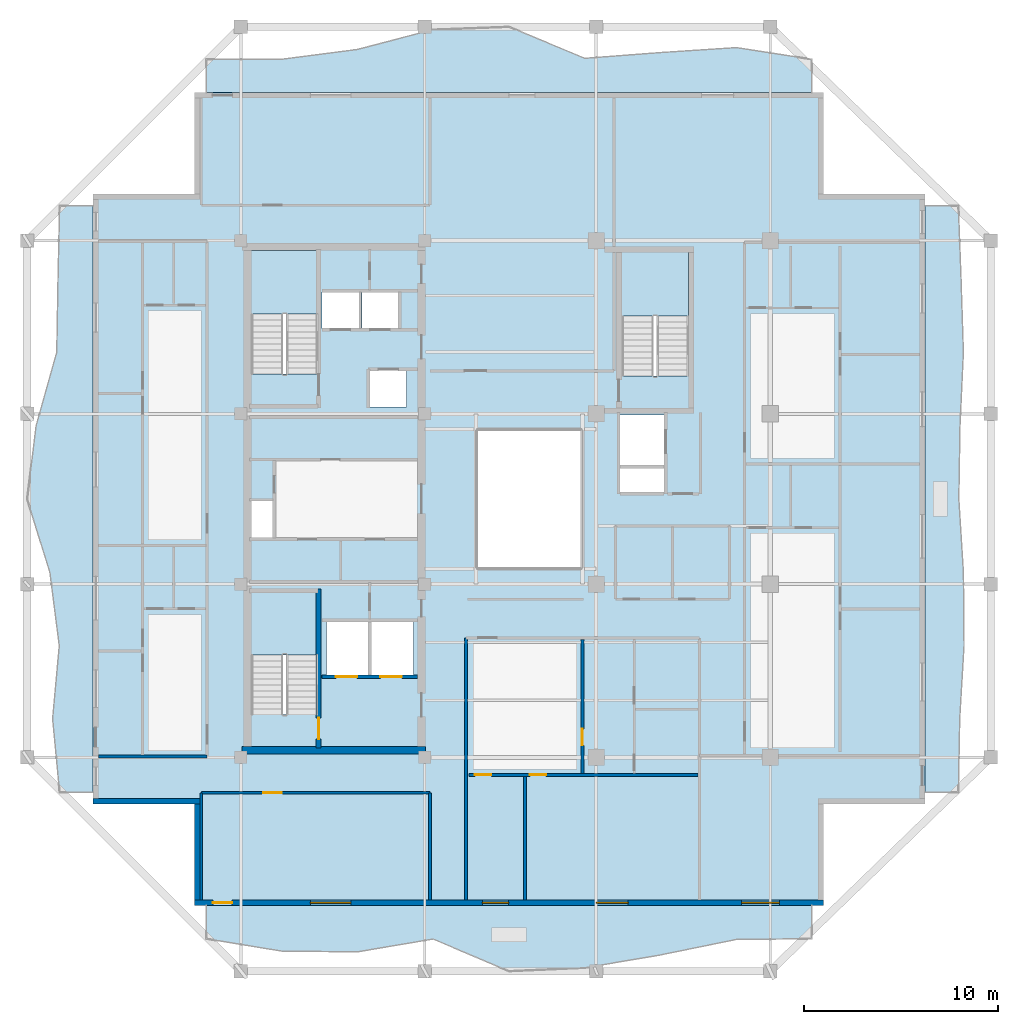
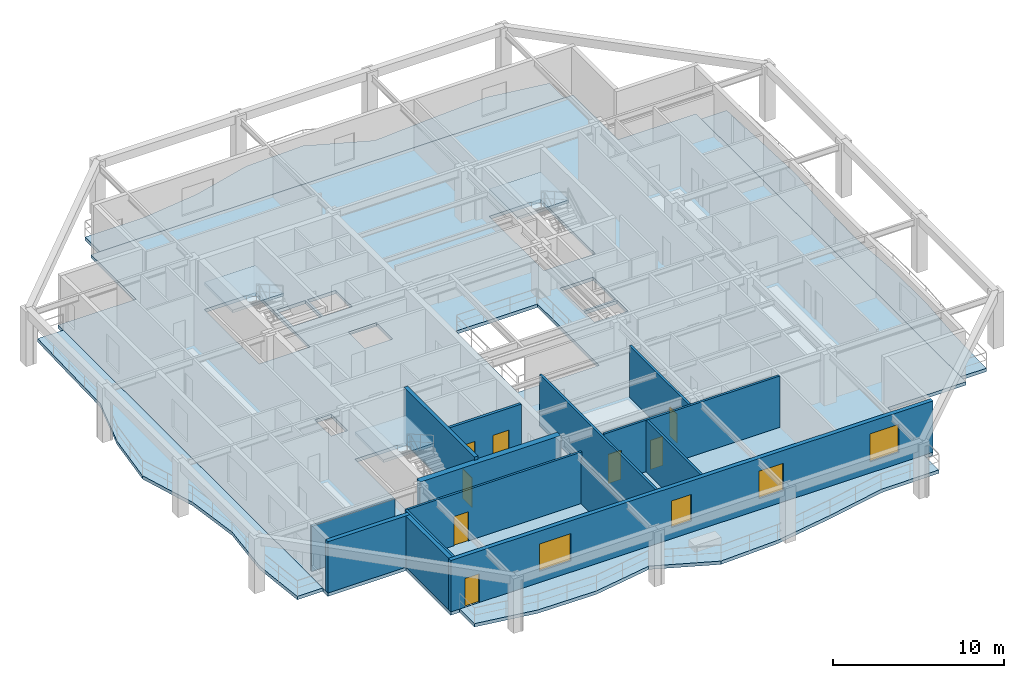
# One storey, part 2 of 12: 14 walls, 8 doors, 8 slabs, 4 windows, 12 openings, 3 elements without a shape of their own.
"""IFC4 building model written with IfcOpenShell, lengths in metres."""

from ifc_helpers import new_model, si_unit, direction, frame, frame_2d, origin, place, context, subcontext, project, spatial, polyline, rectangle, outline, extrude, material, layer, layer_set, type_object, element, fill, aggregate, save


model = new_model("IFC4")

# Units and contexts
model_context = context("Model", 3, precision=1e-05, world=origin(), true_north=direction((0.0, 1.0)))
body_context = subcontext(model_context, "Body", "Model", "MODEL_VIEW")
ifc_project = project(units=[si_unit("LENGTHUNIT", "METRE"), si_unit("AREAUNIT", "SQUARE_METRE"), si_unit("VOLUMEUNIT", "CUBIC_METRE"), si_unit("PLANEANGLEUNIT", "RADIAN"), si_unit("MASSUNIT", "GRAM", prefix="KILO")], contexts=[model_context])

# Site, building, storey
site_placement = place(None, origin())
site = spatial("IfcSite", under=ifc_project, at=site_placement, CompositionType="ELEMENT")
building_placement = place(site_placement, origin())
building = spatial("IfcBuilding", under=site, at=building_placement, Name="Kundavana Baori Tower", CompositionType="ELEMENT")
storey_placement = place(building_placement, frame((0.0, 0.0, 237.5)))
storey = spatial("IfcBuildingStorey", under=building, at=storey_placement, Name="L58", CompositionType="ELEMENT", Elevation=237.5)

# Slab
ifc_material_1 = material(Name="Concrete C40/50", Category="concrete")
ifc_layer_1 = layer(ifc_material_1, 0.239990234375, Name="SLB-FLR-240")
ifc_layer_set_1 = layer_set([ifc_layer_1], Name="Concrete C40/50")
slab_type_1 = type_object("IfcSlabType", Name="SLB-FLR-240", PredefinedType="FLOOR", material=ifc_layer_set_1)
slab_1_placement = place(storey_placement, frame((0.0, 0.0, -0.239990234375)))
element("IfcSlab", 1, at=slab_1_placement, inside=storey, type_object=slab_type_1, Name="L58 Structural Floor Slab", PredefinedType="FLOOR", context=body_context, shape_type="SweptSolid", body=[
    extrude(outline(polyline([(13.050048828125, 7.60009765625), (45.550048828125, 7.60009765625), (45.550048828125, 12.85009765625), (50.800048828125, 12.85009765625), (50.800048828125, 44.35009765625), (45.550048828125, 44.35009765625), (45.550048828125, 49.60009765625), (13.050048828125, 49.60009765625), (13.050048828125, 44.35009765625), (7.800048828125, 44.35009765625), (7.800048828125, 12.85009765625), (13.050048828125, 12.85009765625), (13.050048828125, 7.60009765625)]), holes=[polyline([(19.43994140625, 17.4619140625), (19.43994140625, 23.85009765625), (15.97998046875, 23.85009765625), (15.97998046875, 17.4619140625), (19.43994140625, 17.4619140625)]), polyline([(19.43994140625, 35.06201171875), (19.43994140625, 41.449951171875), (15.97998046875, 41.449951171875), (15.97998046875, 35.06201171875), (19.43994140625, 35.06201171875)]), polyline([(38.580078125, 34.9619140625), (38.580078125, 41.35009765625), (35.1201171875, 41.35009765625), (35.1201171875, 34.9619140625), (38.580078125, 34.9619140625)]), polyline([(19.64990234375, 37.39990234375), (21.550048828125, 37.39990234375), (21.550048828125, 39.300048828125), (19.64990234375, 39.300048828125), (19.64990234375, 37.39990234375)]), polyline([(21.699951171875, 37.39990234375), (23.60009765625, 37.39990234375), (23.60009765625, 39.300048828125), (21.699951171875, 39.300048828125), (21.699951171875, 37.39990234375)]), polyline([(22.10009765625, 33.35009765625), (24.0, 33.35009765625), (24.0, 35.25), (22.10009765625, 35.25), (22.10009765625, 33.35009765625)]), polyline([(19.8798828125, 19.5), (22.02001953125, 19.5), (22.02001953125, 22.25), (19.8798828125, 22.25), (19.8798828125, 19.5)]), polyline([(22.179931640625, 19.5), (24.3798828125, 19.5), (24.3798828125, 22.25), (22.179931640625, 22.25), (22.179931640625, 19.5)]), polyline([(35.050048828125, 30.35009765625), (37.300048828125, 30.35009765625), (37.300048828125, 32.949951171875), (35.050048828125, 32.949951171875), (35.050048828125, 30.35009765625)]), polyline([(15.949951171875, 26.60009765625), (17.080078125, 26.60009765625), (17.080078125, 28.5), (15.949951171875, 28.5), (15.949951171875, 26.60009765625)]), polyline([(35.050048828125, 28.949951171875), (37.300048828125, 28.949951171875), (37.300048828125, 30.199951171875), (35.050048828125, 30.199951171875), (35.050048828125, 28.949951171875)]), polyline([(27.60009765625, 25.0), (33.10009765625, 25.0), (33.10009765625, 32.199951171875), (27.60009765625, 32.199951171875), (27.60009765625, 25.0)])]), origin(), (0.0, 0.0, 1.0), 0.239990234375),
])

# Stair, slab
ifc_material_2 = material(Name="Concrete C40/50", Category="concrete")
stair_type = type_object("IfcStairType", Name="STR-DOG-1650", PredefinedType="HALF_TURN_STAIR", material=ifc_material_2)
stair_1_placement = place(storey_placement, origin())
stair_1 = element("IfcStair", 2, at=stair_1_placement, inside=storey, type_object=stair_type, Name="L58 Protected Exit Stair ST1", PredefinedType="HALF_TURN_STAIR")
ifc_material_3 = material(Name="Concrete C40/50", Category="concrete")
ifc_layer_2 = layer(ifc_material_3, 0.199951171875, Name="SLB-LND-200")
ifc_layer_set_2 = layer_set([ifc_layer_2], Name="Concrete C40/50")
slab_type_2 = type_object("IfcSlabType", Name="SLB-LND-200", PredefinedType="LANDING", material=ifc_layer_set_2)
slab_2_placement = place(storey_placement, frame((0.0, 0.0, 1.75)))
slab_2 = element("IfcSlab", 3, at=slab_2_placement, type_object=slab_type_2, Name="ST1 landing 1", PredefinedType="LANDING", context=body_context, shape_type="SweptSolid", body=[
    extrude(outline(polyline([(19.43994140625, 20.550048828125), (19.43994140625, 23.85009765625), (15.97998046875, 23.85009765625), (15.97998046875, 20.550048828125), (19.43994140625, 20.550048828125)])), origin(), (0.0, 0.0, 1.0), 0.199951171875),
])
aggregate(stair_1, [slab_2])

stair_2_placement = place(storey_placement, origin())
stair_2 = element("IfcStair", 4, at=stair_2_placement, inside=storey, type_object=stair_type, Name="L58 Protected Exit Stair ST2", PredefinedType="HALF_TURN_STAIR")
slab_3_placement = place(storey_placement, frame((0.0, 0.0, 1.75)))
slab_3 = element("IfcSlab", 5, at=slab_3_placement, type_object=slab_type_2, Name="ST2 landing 1", PredefinedType="LANDING", context=body_context, shape_type="SweptSolid", body=[
    extrude(outline(polyline([(19.43994140625, 38.14990234375), (19.43994140625, 41.449951171875), (15.97998046875, 41.449951171875), (15.97998046875, 38.14990234375), (19.43994140625, 38.14990234375)])), origin(), (0.0, 0.0, 1.0), 0.199951171875),
])
aggregate(stair_2, [slab_3])

stair_3_placement = place(storey_placement, origin())
stair_3 = element("IfcStair", 6, at=stair_3_placement, inside=storey, type_object=stair_type, Name="L58 Protected Exit Stair ST3", PredefinedType="HALF_TURN_STAIR")
slab_4_placement = place(storey_placement, frame((0.0, 0.0, 1.75)))
slab_4 = element("IfcSlab", 7, at=slab_4_placement, type_object=slab_type_2, Name="ST3 landing 1", PredefinedType="LANDING", context=body_context, shape_type="SweptSolid", body=[
    extrude(outline(polyline([(38.580078125, 38.050048828125), (38.580078125, 41.35009765625), (35.1201171875, 41.35009765625), (35.1201171875, 38.050048828125), (38.580078125, 38.050048828125)])), origin(), (0.0, 0.0, 1.0), 0.199951171875),
])
aggregate(stair_3, [slab_4])

# Slabs
ifc_material_4 = material(Name="Concrete C40/50", Category="concrete")
ifc_layer_3 = layer(ifc_material_4, 0.239990234375, Name="SLB-LOG-240")
ifc_layer_set_3 = layer_set([ifc_layer_3], Name="Concrete C40/50")
slab_type_3 = type_object("IfcSlabType", Name="SLB-LOG-240", PredefinedType="FLOOR", material=ifc_layer_set_3)
slab_5_placement = place(storey_placement, frame((0.0, 0.0, -0.239990234375)))
element("IfcSlab", 8, at=slab_5_placement, inside=storey, type_object=slab_type_3, Name="L58 Planted Loggia Balcony Slab S", PredefinedType="FLOOR", context=body_context, shape_type="SweptSolid", body=[
    extrude(outline(polyline([(13.64990234375, 7.60009765625), (44.949951171875, 7.60009765625), (44.949951171875, 5.8798828125), (41.0380859375, 5.840087890625), (37.125, 5.0380859375), (33.212890625, 4.376953125), (29.300048828125, 4.199951171875), (25.387939453125, 5.862060546875), (21.47509765625, 5.200927734375), (17.56201171875, 5.238037109375), (13.64990234375, 5.8798828125), (13.64990234375, 7.60009765625)])), origin(), (0.0, 0.0, 1.0), 0.239990234375),
])
slab_6_placement = place(storey_placement, frame((0.0, 0.0, -0.239990234375)))
element("IfcSlab", 9, at=slab_6_placement, inside=storey, type_object=slab_type_3, Name="L58 Planted Loggia Balcony Slab E", PredefinedType="FLOOR", context=body_context, shape_type="SweptSolid", body=[
    extrude(outline(polyline([(50.800048828125, 13.449951171875), (50.800048828125, 43.75), (52.52001953125, 43.75), (52.659912109375, 39.9619140625), (52.780029296875, 36.175048828125), (52.60498046875, 32.387939453125), (52.5439453125, 28.60009765625), (52.781982421875, 24.81201171875), (52.81298828125, 21.02490234375), (52.591064453125, 17.238037109375), (52.52001953125, 13.449951171875), (50.800048828125, 13.449951171875)])), origin(), (0.0, 0.0, 1.0), 0.239990234375),
])
slab_7_placement = place(storey_placement, frame((0.0, 0.0, -0.239990234375)))
element("IfcSlab", 10, at=slab_7_placement, inside=storey, type_object=slab_type_3, Name="L58 Planted Loggia Balcony Slab N", PredefinedType="FLOOR", context=body_context, shape_type="SweptSolid", body=[
    extrude(outline(polyline([(44.949951171875, 49.60009765625), (13.64990234375, 49.60009765625), (13.64990234375, 51.320068359375), (17.56201171875, 51.321044921875), (21.47509765625, 51.8291015625), (25.387939453125, 52.85400390625), (29.300048828125, 53.0), (33.212890625, 51.3701171875), (37.125, 51.666015625), (41.0380859375, 51.923095703125), (44.949951171875, 51.320068359375), (44.949951171875, 49.60009765625)])), origin(), (0.0, 0.0, 1.0), 0.239990234375),
])
slab_8_placement = place(storey_placement, frame((0.0, 0.0, -0.239990234375)))
element("IfcSlab", 11, at=slab_8_placement, inside=storey, type_object=slab_type_3, Name="L58 Planted Loggia Balcony Slab W", PredefinedType="FLOOR", context=body_context, shape_type="SweptSolid", body=[
    extrude(outline(polyline([(7.800048828125, 43.75), (7.800048828125, 13.449951171875), (6.080078125, 13.449951171875), (5.719970703125, 17.238037109375), (6.06298828125, 21.02490234375), (5.576904296875, 24.81201171875), (4.39990234375, 28.60009765625), (4.866943359375, 32.387939453125), (5.93310546875, 36.175048828125), (5.998046875, 39.9619140625), (6.080078125, 43.75), (7.800048828125, 43.75)])), origin(), (0.0, 0.0, 1.0), 0.239990234375),
])

# Wall
ifc_material_5 = material(Name="Concrete C50/60", Category="concrete")
ifc_layer_4 = layer(ifc_material_5, 0.39990234375, Name="WL-CORE-400")
ifc_layer_set_4 = layer_set([ifc_layer_4], Name="Concrete C50/60")
wall_type_1 = type_object("IfcWallType", Name="WL-CORE-400", PredefinedType="SHEAR", material=ifc_layer_set_4)
wall_1_placement = place(storey_placement, frame((15.5, 15.610107421875, 0.0), z_axis=(0.0, 0.0, 1.0), x_axis=(1.0, 0.0, 0.0)))
element("IfcWall", 12, at=wall_1_placement, inside=storey, type_object=wall_type_1, Name="L58 Offset Core South Shear Wall", PredefinedType="SHEAR", context=body_context, shape_type="SweptSolid", body=[
    extrude(rectangle(XDim=9.47998046875, YDim=0.39990234375, at=frame_2d((4.739990234375, 0.0))), origin(), (0.0, 0.0, 1.0), 3.659912109375),
])

# Wall, opening, door
wall_2_placement = place(storey_placement, frame((19.4599609375, 15.739990234375, 0.0), z_axis=(0.0, 0.0, 1.0), x_axis=(0.0, 1.0, 0.0)))
wall_2 = element("IfcWall", 13, at=wall_2_placement, inside=storey, type_object=wall_type_1, Name="WL-L58-ST1-E", PredefinedType="SHEAR", context=body_context, shape_type="SweptSolid", body=[
    extrude(rectangle(XDim=8.199951171875, YDim=0.239990234375, at=frame_2d((4.10009765625, 0.0))), origin(), (0.0, 0.0, 1.0), 3.89990234375),
])
opening_1_placement = place(wall_2_placement, frame((0.449951171875, 0.0, 0.0)))
opening_1 = element("IfcOpeningElement", 14, at=opening_1_placement, cuts=wall_2, Name="Opening FD-110", PredefinedType="OPENING", context=body_context, shape_type="SweptSolid", body=[
    extrude(rectangle(XDim=1.10009765625, YDim=2.10009765625, at=frame_2d((0.550048828125, 1.050048828125))), frame((0.0, 0.1298828125, 0.0), z_axis=(0.0, -1.0, 0.0), x_axis=(1.0, 0.0, 0.0)), (0.0, 0.0, 1.0), 0.260009765625),
])
ifc_material_6 = material(Name="Galvanised Steel Fire-Rated Door Leaf", Category="steel")
door_type_1 = type_object("IfcDoorType", Name="DR-FD120-1100", OperationType="NOTDEFINED", PredefinedType="DOOR", material=ifc_material_6)
door_1_placement = place(opening_1_placement, origin())
door_1 = element("IfcDoor", 15, at=door_1_placement, inside=storey, type_object=door_type_1, Name="DR-L58-ST1", OperationType="SINGLE_SWING_LEFT", OverallHeight=2.10009765625, OverallWidth=1.10009765625, PredefinedType="DOOR", context=body_context, shape_type="SweptSolid", body=[
    extrude(rectangle(XDim=1.10009765625, YDim=2.10009765625, at=frame_2d((0.550048828125, 1.050048828125))), frame((0.0, 0.02490234375, 0.0), z_axis=(0.0, -1.0, 0.0), x_axis=(1.0, 0.0, 0.0)), (0.0, 0.0, 1.0), 0.050048828125),
])
fill(opening_1, door_1)

# Wall, openings, door, windows
ifc_material_7 = material(Name="Red-Buff Dholpur Sandstone Cladding on Concrete C40/50", Category="masonry")
ifc_layer_5 = layer(ifc_material_7, 0.280029296875, Name="WL-EXT-SAND-280")
ifc_layer_set_5 = layer_set([ifc_layer_5], Name="Red-Buff Dholpur Sandstone Cladding on Concrete C40/50")
wall_type_2 = type_object("IfcWallType", Name="WL-EXT-SAND-280", PredefinedType="STANDARD", material=ifc_layer_set_5)
wall_3_placement = place(storey_placement, frame((13.050048828125, 7.739990234375, 0.0), z_axis=(0.0, 0.0, 1.0), x_axis=(1.0, 0.0, 0.0)))
wall_3 = element("IfcWall", 16, at=wall_3_placement, inside=storey, type_object=wall_type_2, Name="L58 Exterior Insulated Facade Wall 01", PredefinedType="STANDARD", context=body_context, shape_type="SweptSolid", body=[
    extrude(rectangle(XDim=32.5, YDim=0.280029296875, at=frame_2d((16.25, 0.0))), origin(), (0.0, 0.0, 1.0), 3.659912109375),
])
opening_2_placement = place(wall_3_placement, frame((0.949951171875, 0.0, 0.0)))
opening_2 = element("IfcOpeningElement", 17, at=opening_2_placement, cuts=wall_3, Name="Opening BD-1", PredefinedType="OPENING", context=body_context, shape_type="SweptSolid", body=[
    extrude(rectangle(XDim=1.0, YDim=2.050048828125, at=frame_2d((0.5, 1.02490234375))), frame((0.0, 0.14990234375, 0.0), z_axis=(0.0, -1.0, 0.0), x_axis=(1.0, 0.0, 0.0)), (0.0, 0.0, 1.0), 0.300048828125),
])
opening_3_placement = place(wall_3_placement, frame((5.985107421875, 0.0, 0.800048828125)))
opening_3 = element("IfcOpeningElement", 18, at=opening_3_placement, cuts=wall_3, Name="Opening W-05", PredefinedType="OPENING", context=body_context, shape_type="SweptSolid", body=[
    extrude(rectangle(XDim=2.10009765625, YDim=1.949951171875, at=frame_2d((1.050048828125, 0.97509765625))), frame((0.0, 0.14990234375, 0.0), z_axis=(0.0, -1.0, 0.0), x_axis=(1.0, 0.0, 0.0)), (0.0, 0.0, 1.0), 0.300048828125),
])
opening_4_placement = place(wall_3_placement, frame((14.876953125, 0.0, 0.800048828125)))
opening_4 = element("IfcOpeningElement", 19, at=opening_4_placement, cuts=wall_3, Name="Opening W-07", PredefinedType="OPENING", context=body_context, shape_type="SweptSolid", body=[
    extrude(rectangle(XDim=1.35009765625, YDim=1.89990234375, at=frame_2d((0.675048828125, 0.949951171875))), frame((0.0, 0.14990234375, 0.0), z_axis=(0.0, -1.0, 0.0), x_axis=(1.0, 0.0, 0.0)), (0.0, 0.0, 1.0), 0.300048828125),
])
opening_5_placement = place(wall_3_placement, frame((20.762939453125, 0.0, 0.800048828125)))
opening_5 = element("IfcOpeningElement", 20, at=opening_5_placement, cuts=wall_3, Name="Opening W-08", PredefinedType="OPENING", context=body_context, shape_type="SweptSolid", body=[
    extrude(rectangle(XDim=1.64990234375, YDim=1.949951171875, at=frame_2d((0.824951171875, 0.97509765625))), frame((0.0, 0.14990234375, 0.0), z_axis=(0.0, -1.0, 0.0), x_axis=(1.0, 0.0, 0.0)), (0.0, 0.0, 1.0), 0.300048828125),
])
opening_6_placement = place(wall_3_placement, frame((28.27001953125, 0.0, 0.800048828125)))
opening_6 = element("IfcOpeningElement", 21, at=opening_6_placement, cuts=wall_3, Name="Opening W-09", PredefinedType="OPENING", context=body_context, shape_type="SweptSolid", body=[
    extrude(rectangle(XDim=1.949951171875, YDim=2.0, at=frame_2d((0.97509765625, 1.0))), frame((0.0, 0.14990234375, 0.0), z_axis=(0.0, -1.0, 0.0), x_axis=(1.0, 0.0, 0.0)), (0.0, 0.0, 1.0), 0.300048828125),
])
ifc_material_8 = material(Name="Architectural Patinated Bronze Metalwork")
door_type_2 = type_object("IfcDoorType", Name="DR-EXT-LOG-1000", OperationType="NOTDEFINED", PredefinedType="DOOR", material=ifc_material_8)
door_2_placement = place(opening_2_placement, frame((1.0, 0.0, 0.0), z_axis=(0.0, 0.0, 1.0), x_axis=(-1.0, 0.0, 0.0)))
door_2 = element("IfcDoor", 22, at=door_2_placement, inside=storey, type_object=door_type_2, Name="L58 Loggia Balcony Access Door S", OperationType="SINGLE_SWING_LEFT", OverallHeight=2.050048828125, OverallWidth=1.0, PredefinedType="DOOR", context=body_context, shape_type="SweptSolid", body=[
    extrude(rectangle(XDim=1.0, YDim=2.050048828125, at=frame_2d((0.5, 1.02490234375))), frame((0.0, 0.02490234375, 0.0), z_axis=(0.0, -1.0, 0.0), x_axis=(1.0, 0.0, 0.0)), (0.0, 0.0, 1.0), 0.050048828125),
])
fill(opening_2, door_2)
ifc_material_9 = material(Name="Double-Glazed Solar-Control Low-E Insulated Glass", Category="glass")
window_type_1 = type_object("IfcWindowType", Name="WIN-LOG-1350x1900", PartitioningType="SINGLE_PANEL", PredefinedType="WINDOW", material=ifc_material_9)
window_1_placement = place(opening_4_placement, origin())
window_1 = element("IfcWindow", 23, at=window_1_placement, inside=storey, type_object=window_type_1, Name="L58 Recessed Loggia Window S-2", OverallHeight=1.89990234375, OverallWidth=1.35009765625, PartitioningType="SINGLE_PANEL", PredefinedType="WINDOW", context=body_context, shape_type="SweptSolid", body=[
    extrude(rectangle(XDim=1.35009765625, YDim=1.89990234375, at=frame_2d((0.675048828125, 0.949951171875))), frame((0.0, 0.030029296875, 0.0), z_axis=(0.0, -1.0, 0.0), x_axis=(1.0, 0.0, 0.0)), (0.0, 0.0, 1.0), 0.06005859375),
])
fill(opening_4, window_1)
ifc_material_10 = material(Name="Double-Glazed Solar-Control Low-E Insulated Glass", Category="glass")
window_type_2 = type_object("IfcWindowType", Name="WIN-LOG-1650x1950", PartitioningType="SINGLE_PANEL", PredefinedType="WINDOW", material=ifc_material_10)
window_2_placement = place(opening_5_placement, origin())
window_2 = element("IfcWindow", 24, at=window_2_placement, inside=storey, type_object=window_type_2, Name="L58 Recessed Loggia Window S-3", OverallHeight=1.949951171875, OverallWidth=1.64990234375, PartitioningType="SINGLE_PANEL", PredefinedType="WINDOW", context=body_context, shape_type="SweptSolid", body=[
    extrude(rectangle(XDim=1.64990234375, YDim=1.949951171875, at=frame_2d((0.824951171875, 0.97509765625))), frame((0.0, 0.030029296875, 0.0), z_axis=(0.0, -1.0, 0.0), x_axis=(1.0, 0.0, 0.0)), (0.0, 0.0, 1.0), 0.06005859375),
])
fill(opening_5, window_2)
ifc_material_11 = material(Name="Double-Glazed Solar-Control Low-E Insulated Glass", Category="glass")
window_type_3 = type_object("IfcWindowType", Name="WIN-LOG-1950x2000", PartitioningType="SINGLE_PANEL", PredefinedType="WINDOW", material=ifc_material_11)
window_3_placement = place(opening_6_placement, origin())
window_3 = element("IfcWindow", 25, at=window_3_placement, inside=storey, type_object=window_type_3, Name="L58 Recessed Loggia Window S-4", OverallHeight=2.0, OverallWidth=1.949951171875, PartitioningType="SINGLE_PANEL", PredefinedType="WINDOW", context=body_context, shape_type="SweptSolid", body=[
    extrude(rectangle(XDim=1.949951171875, YDim=2.0, at=frame_2d((0.97509765625, 1.0))), frame((0.0, 0.030029296875, 0.0), z_axis=(0.0, -1.0, 0.0), x_axis=(1.0, 0.0, 0.0)), (0.0, 0.0, 1.0), 0.06005859375),
])
fill(opening_6, window_3)
ifc_material_12 = material(Name="Double-Glazed Solar-Control Low-E Insulated Glass", Category="glass")
window_type_4 = type_object("IfcWindowType", Name="WIN-LOG-2100x1950", PartitioningType="SINGLE_PANEL", PredefinedType="WINDOW", material=ifc_material_12)
window_4_placement = place(opening_3_placement, origin())
window_4 = element("IfcWindow", 26, at=window_4_placement, inside=storey, type_object=window_type_4, Name="L58 Recessed Loggia Window S-1", OverallHeight=1.949951171875, OverallWidth=2.10009765625, PartitioningType="SINGLE_PANEL", PredefinedType="WINDOW", context=body_context, shape_type="SweptSolid", body=[
    extrude(rectangle(XDim=2.10009765625, YDim=1.949951171875, at=frame_2d((1.050048828125, 0.97509765625))), frame((0.0, 0.030029296875, 0.0), z_axis=(0.0, -1.0, 0.0), x_axis=(1.0, 0.0, 0.0)), (0.0, 0.0, 1.0), 0.06005859375),
])
fill(opening_3, window_4)

# Walls
wall_4_placement = place(storey_placement, frame((7.800048828125, 12.989990234375, 0.0), z_axis=(0.0, 0.0, 1.0), x_axis=(1.0, 0.0, 0.0)))
element("IfcWall", 27, at=wall_4_placement, inside=storey, type_object=wall_type_2, Name="L58 Exterior Insulated Facade Wall 11", PredefinedType="STANDARD", context=body_context, shape_type="SweptSolid", body=[
    extrude(rectangle(XDim=5.530029296875, YDim=0.280029296875, at=frame_2d((2.76513671875, 0.0))), origin(), (0.0, 0.0, 1.0), 3.659912109375),
])
wall_5_placement = place(storey_placement, frame((13.18994140625, 12.85009765625, 0.0), z_axis=(0.0, 0.0, 1.0), x_axis=(0.0, -1.0, 0.0)))
element("IfcWall", 28, at=wall_5_placement, inside=storey, type_object=wall_type_2, Name="L58 Exterior Insulated Facade Wall 12", PredefinedType="STANDARD", context=body_context, shape_type="SweptSolid", body=[
    extrude(rectangle(XDim=4.97021484375, YDim=0.280029296875, at=frame_2d((2.485107421875, 0.0))), origin(), (0.0, 0.0, 1.0), 3.659912109375),
])
ifc_material_13 = material(Name="Fire-Rated Gypsum Drywall on Galvanised Steel Studs", Category="steel")
ifc_layer_6 = layer(ifc_material_13, 0.14990234375, Name="WL-PART-150")
ifc_layer_set_6 = layer_set([ifc_layer_6], Name="Fire-Rated Gypsum Drywall on Galvanised Steel Studs")
wall_type_3 = type_object("IfcWallType", Name="WL-PART-150", PredefinedType="PARTITIONING", material=ifc_layer_set_6)
wall_6_placement = place(storey_placement, frame((27.080078125, 7.8798828125, 0.0), z_axis=(0.0, 0.0, 1.0), x_axis=(0.0, 1.0, 0.0)))
element("IfcWall", 29, at=wall_6_placement, inside=storey, type_object=wall_type_3, Name="WL-L58-RSW", PredefinedType="PARTITIONING", context=body_context, shape_type="SweptSolid", body=[
    extrude(rectangle(XDim=13.5400390625, YDim=0.14990234375, at=frame_2d((6.77001953125, 0.0))), origin(), (0.0, 0.0, 1.0), 3.659912109375),
])

# Wall, opening, door
wall_7_placement = place(storey_placement, frame((13.39990234375, 13.419921875, 0.0), z_axis=(0.0, 0.0, 1.0), x_axis=(1.0, 0.0, 0.0)))
wall_7 = element("IfcWall", 30, at=wall_7_placement, inside=storey, type_object=wall_type_3, Name="WL-L58-RSC", PredefinedType="PARTITIONING", context=body_context, shape_type="SweptSolid", body=[
    extrude(rectangle(XDim=11.820068359375, YDim=0.14990234375, at=frame_2d((5.91015625, 0.0))), origin(), (0.0, 0.0, 1.0), 3.659912109375),
])
opening_7_placement = place(wall_7_placement, frame((3.199951171875, 0.0, 0.0)))
opening_7 = element("IfcOpeningElement", 31, at=opening_7_placement, cuts=wall_7, Name="Opening ID-095", PredefinedType="OPENING", context=body_context, shape_type="SweptSolid", body=[
    extrude(rectangle(XDim=0.949951171875, YDim=2.080078125, at=frame_2d((0.47509765625, 1.0400390625))), frame((0.0, 0.0849609375, 0.0), z_axis=(0.0, -1.0, 0.0), x_axis=(1.0, 0.0, 0.0)), (0.0, 0.0, 1.0), 0.169921875),
])
ifc_material_14 = material(Name="Engineered Teak Solid-Core Timber Veneer", Category="wood")
door_type_3 = type_object("IfcDoorType", Name="DR-INT-950", OperationType="NOTDEFINED", PredefinedType="DOOR", material=ifc_material_14)
door_3_placement = place(opening_7_placement, frame((0.949951171875, 0.0, 0.0), z_axis=(0.0, 0.0, 1.0), x_axis=(-1.0, 0.0, 0.0)))
door_3 = element("IfcDoor", 32, at=door_3_placement, inside=storey, type_object=door_type_3, Name="DR-L58-RMSW", OperationType="SINGLE_SWING_LEFT", OverallHeight=2.080078125, OverallWidth=0.949951171875, PredefinedType="DOOR", context=body_context, shape_type="SweptSolid", body=[
    extrude(rectangle(XDim=0.949951171875, YDim=2.080078125, at=frame_2d((0.47509765625, 1.0400390625))), frame((0.0, 0.02490234375, 0.0), z_axis=(0.0, -1.0, 0.0), x_axis=(1.0, 0.0, 0.0)), (0.0, 0.0, 1.0), 0.050048828125),
])
fill(opening_7, door_3)

# Walls
wall_8_placement = place(storey_placement, frame((13.39990234375, 7.8798828125, 0.0), z_axis=(0.0, 0.0, 1.0), x_axis=(0.0, 1.0, 0.0)))
element("IfcWall", 33, at=wall_8_placement, inside=storey, type_object=wall_type_3, Name="WL-L58-RSCW", PredefinedType="PARTITIONING", context=body_context, shape_type="SweptSolid", body=[
    extrude(rectangle(XDim=5.5400390625, YDim=0.14990234375, at=frame_2d((2.77001953125, 0.0))), origin(), (0.0, 0.0, 1.0), 3.659912109375),
])
wall_9_placement = place(storey_placement, frame((25.219970703125, 7.8798828125, 0.0), z_axis=(0.0, 0.0, 1.0), x_axis=(0.0, 1.0, 0.0)))
element("IfcWall", 34, at=wall_9_placement, inside=storey, type_object=wall_type_3, Name="WL-L58-RSCE", PredefinedType="PARTITIONING", context=body_context, shape_type="SweptSolid", body=[
    extrude(rectangle(XDim=5.5400390625, YDim=0.14990234375, at=frame_2d((2.77001953125, 0.0))), origin(), (0.0, 0.0, 1.0), 3.2099609375),
])
wall_10_placement = place(storey_placement, frame((8.080078125, 15.300048828125, 0.0), z_axis=(0.0, 0.0, 1.0), x_axis=(1.0, 0.0, 0.0)))
element("IfcWall", 35, at=wall_10_placement, inside=storey, type_object=wall_type_3, Name="WL-L58-RWS", PredefinedType="PARTITIONING", context=body_context, shape_type="SweptSolid", body=[
    extrude(rectangle(XDim=5.619873046875, YDim=0.14990234375, at=frame_2d((2.81005859375, 0.0))), origin(), (0.0, 0.0, 1.0), 3.2099609375),
])

# Wall, openings, doors
wall_11_placement = place(storey_placement, frame((27.239990234375, 14.341064453125, 0.0), z_axis=(0.0, 0.0, 1.0), x_axis=(1.0, 0.0, 0.0)))
wall_11 = element("IfcWall", 36, at=wall_11_placement, inside=storey, type_object=wall_type_3, Name="WL-L58-S1-HZ", PredefinedType="PARTITIONING", context=body_context, shape_type="SweptSolid", body=[
    extrude(rectangle(XDim=11.830078125, YDim=0.14990234375, at=frame_2d((5.9150390625, 0.0))), origin(), (0.0, 0.0, 1.0), 3.659912109375),
])
opening_8_placement = place(wall_11_placement, frame((0.300048828125, 0.0, 0.0)))
opening_8 = element("IfcOpeningElement", 37, at=opening_8_placement, cuts=wall_11, Name="Opening ID-085", PredefinedType="OPENING", context=body_context, shape_type="SweptSolid", body=[
    extrude(rectangle(XDim=0.85009765625, YDim=2.080078125, at=frame_2d((0.425048828125, 1.0400390625))), frame((0.0, 0.0849609375, 0.0), z_axis=(0.0, -1.0, 0.0), x_axis=(1.0, 0.0, 0.0)), (0.0, 0.0, 1.0), 0.169921875),
])
opening_9_placement = place(wall_11_placement, frame((3.135009765625, 0.0, 0.0)))
opening_9 = element("IfcOpeningElement", 38, at=opening_9_placement, cuts=wall_11, Name="Opening ID-085", PredefinedType="OPENING", context=body_context, shape_type="SweptSolid", body=[
    extrude(rectangle(XDim=0.85009765625, YDim=2.080078125, at=frame_2d((0.425048828125, 1.0400390625))), frame((0.0, 0.0849609375, 0.0), z_axis=(0.0, -1.0, 0.0), x_axis=(1.0, 0.0, 0.0)), (0.0, 0.0, 1.0), 0.169921875),
])
ifc_material_15 = material(Name="Engineered Teak Solid-Core Timber Veneer", Category="wood")
door_type_4 = type_object("IfcDoorType", Name="DR-INT-850", OperationType="NOTDEFINED", PredefinedType="DOOR", material=ifc_material_15)
door_4_placement = place(opening_8_placement, frame((0.85009765625, 0.0, 0.0), z_axis=(0.0, 0.0, 1.0), x_axis=(-1.0, 0.0, 0.0)))
door_4 = element("IfcDoor", 39, at=door_4_placement, inside=storey, type_object=door_type_4, Name="DR-L58-S1-B1", OperationType="SINGLE_SWING_LEFT", OverallHeight=2.080078125, OverallWidth=0.85009765625, PredefinedType="DOOR", context=body_context, shape_type="SweptSolid", body=[
    extrude(rectangle(XDim=0.85009765625, YDim=2.080078125, at=frame_2d((0.425048828125, 1.0400390625))), frame((0.0, 0.02490234375, 0.0), z_axis=(0.0, -1.0, 0.0), x_axis=(1.0, 0.0, 0.0)), (0.0, 0.0, 1.0), 0.050048828125),
])
fill(opening_8, door_4)
door_5_placement = place(opening_9_placement, frame((0.85009765625, 0.0, 0.0), z_axis=(0.0, 0.0, 1.0), x_axis=(-1.0, 0.0, 0.0)))
door_5 = element("IfcDoor", 40, at=door_5_placement, inside=storey, type_object=door_type_4, Name="DR-L58-S1-B2", OperationType="SINGLE_SWING_RIGHT", OverallHeight=2.080078125, OverallWidth=0.85009765625, PredefinedType="DOOR", context=body_context, shape_type="SweptSolid", body=[
    extrude(rectangle(XDim=0.85009765625, YDim=2.080078125, at=frame_2d((0.425048828125, 1.0400390625))), frame((0.0, 0.02490234375, 0.0), z_axis=(0.0, -1.0, 0.0), x_axis=(1.0, 0.0, 0.0)), (0.0, 0.0, 1.0), 0.050048828125),
])
fill(opening_9, door_5)

# Wall, opening, door
wall_12_placement = place(storey_placement, frame((33.090087890625, 14.4208984375, 0.0), z_axis=(0.0, 0.0, 1.0), x_axis=(0.0, 1.0, 0.0)))
wall_12 = element("IfcWall", 41, at=wall_12_placement, inside=storey, type_object=wall_type_3, Name="WL-L58-S1-STU", PredefinedType="PARTITIONING", context=body_context, shape_type="SweptSolid", body=[
    extrude(rectangle(XDim=6.919189453125, YDim=0.14990234375, at=frame_2d((3.45947265625, 0.0))), origin(), (0.0, 0.0, 1.0), 3.659912109375),
])
opening_10_placement = place(wall_12_placement, frame((1.449951171875, 0.0, 0.0)))
opening_10 = element("IfcOpeningElement", 42, at=opening_10_placement, cuts=wall_12, Name="Opening ID-085", PredefinedType="OPENING", context=body_context, shape_type="SweptSolid", body=[
    extrude(rectangle(XDim=0.85009765625, YDim=2.080078125, at=frame_2d((0.425048828125, 1.0400390625))), frame((0.0, 0.0849609375, 0.0), z_axis=(0.0, -1.0, 0.0), x_axis=(1.0, 0.0, 0.0)), (0.0, 0.0, 1.0), 0.169921875),
])
door_6_placement = place(opening_10_placement, origin())
door_6 = element("IfcDoor", 43, at=door_6_placement, inside=storey, type_object=door_type_4, Name="DR-L58-S1-STD", OperationType="SINGLE_SWING_LEFT", OverallHeight=2.080078125, OverallWidth=0.85009765625, PredefinedType="DOOR", context=body_context, shape_type="SweptSolid", body=[
    extrude(rectangle(XDim=0.85009765625, YDim=2.080078125, at=frame_2d((0.425048828125, 1.0400390625))), frame((0.0, 0.02490234375, 0.0), z_axis=(0.0, -1.0, 0.0), x_axis=(1.0, 0.0, 0.0)), (0.0, 0.0, 1.0), 0.050048828125),
])
fill(opening_10, door_6)

# Wall
wall_13_placement = place(storey_placement, frame((30.125, 7.8798828125, 0.0), z_axis=(0.0, 0.0, 1.0), x_axis=(0.0, 1.0, 0.0)))
element("IfcWall", 44, at=wall_13_placement, inside=storey, type_object=wall_type_3, Name="WL-L58-S1-BDV", PredefinedType="PARTITIONING", context=body_context, shape_type="SweptSolid", body=[
    extrude(rectangle(XDim=6.381103515625, YDim=0.14990234375, at=frame_2d((3.1904296875, 0.0))), origin(), (0.0, 0.0, 1.0), 3.659912109375),
])

# Wall, openings, doors
ifc_material_16 = material(Name="Autoclaved Aerated Concrete Blockwork Masonry", Category="masonry")
ifc_layer_7 = layer(ifc_material_16, 0.179931640625, Name="WL-SHAFT-180")
ifc_layer_set_7 = layer_set([ifc_layer_7], Name="Autoclaved Aerated Concrete Blockwork Masonry")
wall_type_4 = type_object("IfcWallType", Name="WL-SHAFT-180", PredefinedType="SOLIDWALL", material=ifc_layer_set_7)
wall_14_placement = place(storey_placement, frame((19.639892578125, 19.419921875, 0.0), z_axis=(0.0, 0.0, 1.0), x_axis=(1.0, 0.0, 0.0)))
wall_14 = element("IfcWall", 45, at=wall_14_placement, inside=storey, type_object=wall_type_4, Name="WL-L58-FFL-S", PredefinedType="SOLIDWALL", context=body_context, shape_type="SweptSolid", body=[
    extrude(rectangle(XDim=4.940185546875, YDim=0.179931640625, at=frame_2d((2.47021484375, 0.0))), origin(), (0.0, 0.0, 1.0), 3.659912109375),
])
opening_11_placement = place(wall_14_placement, frame((0.719970703125, 0.0, 0.0)))
opening_11 = element("IfcOpeningElement", 46, at=opening_11_placement, cuts=wall_14, Name="Opening LD-110", PredefinedType="OPENING", context=body_context, shape_type="SweptSolid", body=[
    extrude(rectangle(XDim=1.10009765625, YDim=2.10009765625, at=frame_2d((0.550048828125, 1.050048828125))), frame((0.0, 0.10009765625, 0.0), z_axis=(0.0, -1.0, 0.0), x_axis=(1.0, 0.0, 0.0)), (0.0, 0.0, 1.0), 0.199951171875),
])
opening_12_placement = place(wall_14_placement, frame((3.02001953125, 0.0, 0.0)))
opening_12 = element("IfcOpeningElement", 47, at=opening_12_placement, cuts=wall_14, Name="Opening LD-110", PredefinedType="OPENING", context=body_context, shape_type="SweptSolid", body=[
    extrude(rectangle(XDim=1.10009765625, YDim=2.10009765625, at=frame_2d((0.550048828125, 1.050048828125))), frame((0.0, 0.10009765625, 0.0), z_axis=(0.0, -1.0, 0.0), x_axis=(1.0, 0.0, 0.0)), (0.0, 0.0, 1.0), 0.199951171875),
])
ifc_material_17 = material(Name="Galvanised Steel Fire-Rated Door Leaf", Category="steel")
door_type_5 = type_object("IfcDoorType", Name="DR-SLIDE-LD1100", OperationType="NOTDEFINED", PredefinedType="DOOR", material=ifc_material_17)
door_7_placement = place(opening_11_placement, origin())
door_7 = element("IfcDoor", 48, at=door_7_placement, inside=storey, type_object=door_type_5, Name="DR-L58-LD-FFL-1", OperationType="DOUBLE_DOOR_SLIDING", OverallHeight=2.10009765625, OverallWidth=1.10009765625, PredefinedType="DOOR", context=body_context, shape_type="SweptSolid", body=[
    extrude(rectangle(XDim=1.10009765625, YDim=2.10009765625, at=frame_2d((0.550048828125, 1.050048828125))), frame((0.0, 0.02490234375, 0.0), z_axis=(0.0, -1.0, 0.0), x_axis=(1.0, 0.0, 0.0)), (0.0, 0.0, 1.0), 0.050048828125),
])
fill(opening_11, door_7)
door_8_placement = place(opening_12_placement, origin())
door_8 = element("IfcDoor", 49, at=door_8_placement, inside=storey, type_object=door_type_5, Name="DR-L58-LD-FFL-2", OperationType="DOUBLE_DOOR_SLIDING", OverallHeight=2.10009765625, OverallWidth=1.10009765625, PredefinedType="DOOR", context=body_context, shape_type="SweptSolid", body=[
    extrude(rectangle(XDim=1.10009765625, YDim=2.10009765625, at=frame_2d((0.550048828125, 1.050048828125))), frame((0.0, 0.02490234375, 0.0), z_axis=(0.0, -1.0, 0.0), x_axis=(1.0, 0.0, 0.0)), (0.0, 0.0, 1.0), 0.050048828125),
])
fill(opening_12, door_8)

save(model, "model.ifc")
